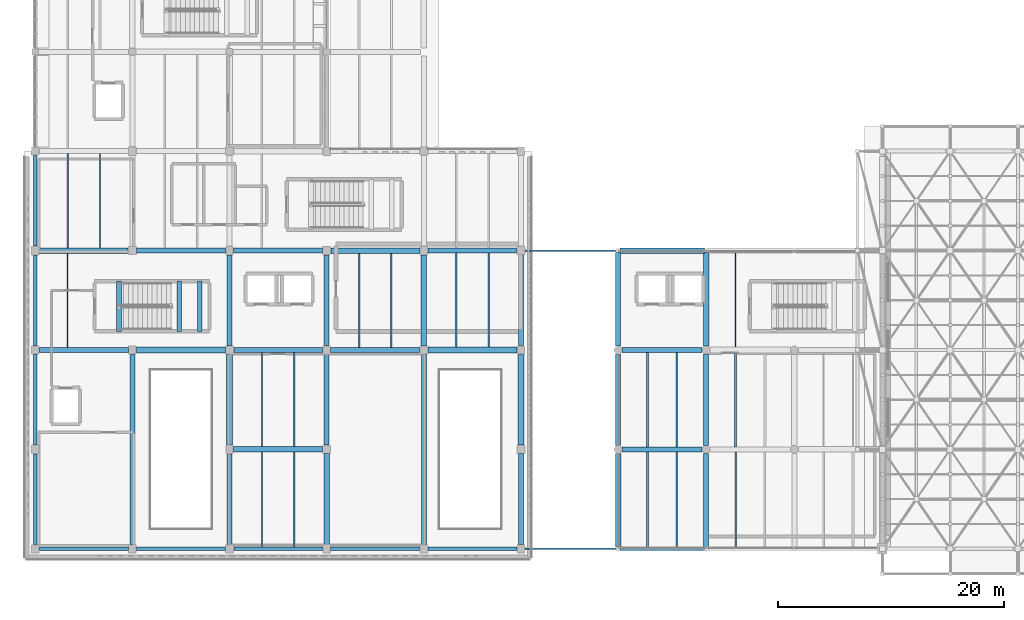
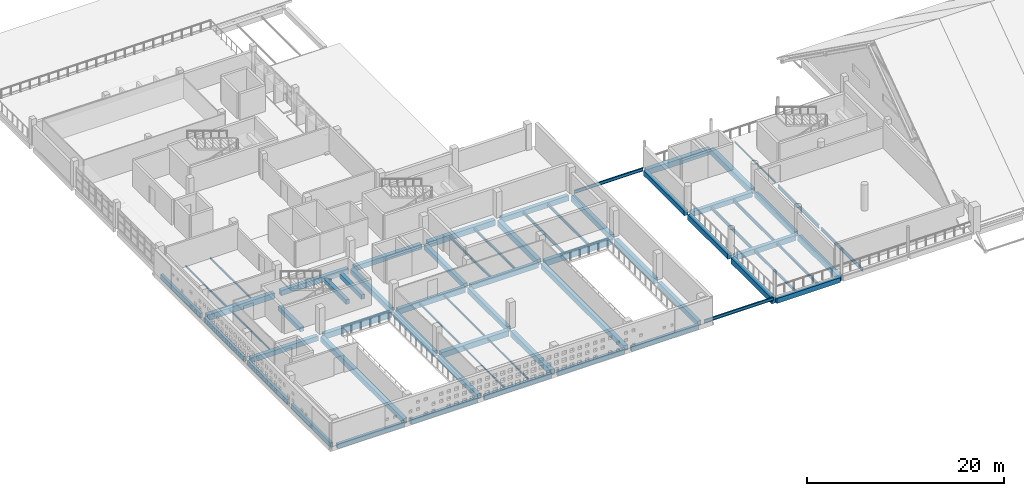
# One storey, part 6 of 55: 65 beams.
"""IFC4 building model written with IfcOpenShell, lengths in metres."""

from ifc_helpers import new_model, si_unit, direction, frame, origin, origin_2d, place, context, subcontext, project, spatial, rectangle, i_section, extrude, material, material_profile, profile_set, type_object, element, save


model = new_model("IFC4")

# Units and contexts
model_context = context("Model", 3, precision=1e-05, world=origin(), true_north=direction((0.0, 1.0)))
body_context = subcontext(model_context, "Body", "Model", "MODEL_VIEW")
ifc_project = project(units=[si_unit("LENGTHUNIT", "METRE"), si_unit("AREAUNIT", "SQUARE_METRE"), si_unit("VOLUMEUNIT", "CUBIC_METRE"), si_unit("PLANEANGLEUNIT", "RADIAN"), si_unit("MASSUNIT", "GRAM", prefix="KILO")], contexts=[model_context])

# Site, building, storey
site_placement = place(None, origin())
site = spatial("IfcSite", under=ifc_project, at=site_placement, CompositionType="ELEMENT")
building_placement = place(site_placement, origin())
building = spatial("IfcBuilding", under=site, at=building_placement, Name="Varnakota Cinema and Media Centre", CompositionType="ELEMENT")
storey_placement = place(building_placement, frame((0.0, 0.0, 15.60009765625)))
storey = spatial("IfcBuildingStorey", under=building, at=storey_placement, Name="L04", CompositionType="ELEMENT", Elevation=15.60009765625)

# Beams
ifc_material_1 = material(Name="Concrete M35", Category="concrete")
ifc_material_profile_1 = material_profile(ifc_material_1, rectangle(XDim=0.39990234375, YDim=0.550048828125, at=origin_2d()), Name="RCB 400x550")
ifc_profile_set_1 = profile_set([ifc_material_profile_1], Name="Concrete M35")
beam_type_1 = type_object("IfcBeamType", Name="BM-RC-400x550", PredefinedType="BEAM", material=ifc_profile_set_1)
for number, where, z_axis, x_axis, name in (
    (1, (12.7373046875, 19.25, 1.25), (0.0, 1.0, 0.0), (-1.0, 0.0, 0.0), "L04 ST-01 landing support beam 1"),
    (2, (14.562744140625, 19.25, 1.25), (0.0, 1.0, 0.0), (-1.0, 0.0, 0.0), "L04 ST-01 landing support beam 2"),
):
    element("IfcBeam", number, at=place(storey_placement, frame(where, z_axis=z_axis, x_axis=x_axis)), inside=storey, type_object=beam_type_1, Name=name, PredefinedType="BEAM", context=body_context, shape_type="SweptSolid", body=[
        extrude(rectangle(XDim=0.39990234375, YDim=0.550048828125, at=origin_2d()), origin(), (0.0, 0.0, 1.0), 4.449951171875),
    ])
ifc_material_2 = material(Name="Concrete M40", Category="concrete")
ifc_material_profile_2 = material_profile(ifc_material_2, rectangle(XDim=0.449951171875, YDim=0.550048828125, at=origin_2d()), Name="RCB 450x550")
ifc_profile_set_2 = profile_set([ifc_material_profile_2], Name="Concrete M40")
beam_type_2 = type_object("IfcBeamType", Name="BM-RC-450x550", PredefinedType="BEAM", material=ifc_profile_set_2)
beam_1_placement = place(storey_placement, frame((7.419921875, 19.25, -0.275146484375), z_axis=(0.0, 1.0, 0.0), x_axis=(-1.0, 0.0, 0.0)))
element("IfcBeam", 3, at=beam_1_placement, inside=storey, type_object=beam_type_2, Name="L04 ST-01 stair arrival trimmer beam", PredefinedType="BEAM", context=body_context, shape_type="SweptSolid", body=[
    extrude(rectangle(XDim=0.449951171875, YDim=0.550048828125, at=origin_2d()), origin(), (0.0, 0.0, 1.0), 4.449951171875),
])
ifc_material_3 = material(Name="Concrete M35", Category="concrete")
ifc_material_profile_3 = material_profile(ifc_material_3, rectangle(XDim=0.449951171875, YDim=0.60009765625, at=origin_2d()), Name="RCB 450x600")
ifc_profile_set_3 = profile_set([ifc_material_profile_3], Name="Concrete M35")
beam_type_3 = type_object("IfcBeamType", Name="BM-RC-450x600", PredefinedType="BEAM", material=ifc_profile_set_3)
for number, where, z_axis, x_axis, name in (
    (4, (0.375, 17.60009765625, -0.550048828125), (1.0, 0.0, 0.0), (0.0, 1.0, 0.0), "L04 girder A-B/3"),
    (5, (26.14990234375, 17.60009765625, -0.550048828125), (1.0, 0.0, 0.0), (0.0, 1.0, 0.0), "L04 girder D-E/3"),
):
    element("IfcBeam", number, at=place(storey_placement, frame(where, z_axis=z_axis, x_axis=x_axis)), inside=storey, type_object=beam_type_3, Name=name, PredefinedType="BEAM", context=body_context, shape_type="SweptSolid", body=[
        extrude(rectangle(XDim=0.449951171875, YDim=0.60009765625, at=origin_2d()), origin(), (0.0, 0.0, 1.0), 7.875),
    ])
beam_2_placement = place(storey_placement, frame((51.949951171875, 17.60009765625, -0.550048828125), z_axis=(1.0, 0.0, 0.0), x_axis=(0.0, 1.0, 0.0)))
element("IfcBeam", 6, at=beam_2_placement, inside=storey, type_object=beam_type_3, Name="L04 girder G-H/3", PredefinedType="BEAM", context=body_context, shape_type="SweptSolid", body=[
    extrude(rectangle(XDim=0.449951171875, YDim=0.60009765625, at=origin_2d()), origin(), (0.0, 0.0, 1.0), 7.10009765625),
])
beam_3_placement = place(storey_placement, frame((17.550048828125, 26.39990234375, -0.550048828125), z_axis=(1.0, 0.0, 0.0), x_axis=(0.0, 1.0, 0.0)))
element("IfcBeam", 7, at=beam_3_placement, inside=storey, type_object=beam_type_3, Name="L04 girder C-D/4", PredefinedType="BEAM", context=body_context, shape_type="SweptSolid", body=[
    extrude(rectangle(XDim=0.449951171875, YDim=0.60009765625, at=origin_2d()), origin(), (0.0, 0.0, 1.0), 7.875),
])
for number, where, z_axis, x_axis, name in (
    (8, (17.199951171875, 0.375, -0.550048828125), (0.0, 1.0, 0.0), (-1.0, 0.0, 0.0), "L04 girder C/1-2"),
    (9, (25.800048828125, 18.0, -0.550048828125), (0.0, 1.0, 0.0), (-1.0, 0.0, 0.0), "L04 girder D/3-4"),
):
    element("IfcBeam", number, at=place(storey_placement, frame(where, z_axis=z_axis, x_axis=x_axis)), inside=storey, type_object=beam_type_3, Name=name, PredefinedType="BEAM", context=body_context, shape_type="SweptSolid", body=[
        extrude(rectangle(XDim=0.449951171875, YDim=0.60009765625, at=origin_2d()), origin(), (0.0, 0.0, 1.0), 8.02490234375),
    ])
beam_4_placement = place(storey_placement, frame((43.0, 0.39990234375, -0.550048828125), z_axis=(0.0, 1.0, 0.0), x_axis=(-1.0, 0.0, 0.0)))
element("IfcBeam", 10, at=beam_4_placement, inside=storey, type_object=beam_type_3, Name="L04 girder F/1-2", PredefinedType="BEAM", context=body_context, shape_type="SweptSolid", body=[
    extrude(rectangle(XDim=0.449951171875, YDim=0.60009765625, at=origin_2d()), origin(), (0.0, 0.0, 1.0), 8.025146484375),
])
beam_5_placement = place(storey_placement, frame((51.60009765625, 17.949951171875, -0.550048828125), z_axis=(0.0, 1.0, 0.0), x_axis=(-1.0, 0.0, 0.0)))
element("IfcBeam", 11, at=beam_5_placement, inside=storey, type_object=beam_type_3, Name="L04 girder G/3-4", PredefinedType="BEAM", context=body_context, shape_type="SweptSolid", body=[
    extrude(rectangle(XDim=0.449951171875, YDim=0.60009765625, at=origin_2d()), origin(), (0.0, 0.0, 1.0), 8.2880859375),
])
beam_6_placement = place(storey_placement, frame((59.39990234375, 9.14990234375, -0.550048828125), z_axis=(0.0, 1.0, 0.0), x_axis=(-1.0, 0.0, 0.0)))
element("IfcBeam", 12, at=beam_6_placement, inside=storey, type_object=beam_type_3, Name="L04 girder H/2-3", PredefinedType="BEAM", context=body_context, shape_type="SweptSolid", body=[
    extrude(rectangle(XDim=0.449951171875, YDim=0.60009765625, at=origin_2d()), origin(), (0.0, 0.0, 1.0), 8.10009765625),
])
ifc_material_4 = material(Name="Concrete M35", Category="concrete")
ifc_material_profile_4 = material_profile(ifc_material_4, rectangle(XDim=0.449951171875, YDim=0.64990234375, at=origin_2d()), Name="RCB 450x650")
ifc_profile_set_4 = profile_set([ifc_material_profile_4], Name="Concrete M35")
beam_type_4 = type_object("IfcBeamType", Name="BM-RC-450x650", PredefinedType="BEAM", material=ifc_profile_set_4)
beam_7_placement = place(storey_placement, frame((51.949951171875, 8.800048828125, -0.5751953125), z_axis=(1.0, 0.0, 0.0), x_axis=(0.0, 1.0, 0.0)))
element("IfcBeam", 13, at=beam_7_placement, inside=storey, type_object=beam_type_4, Name="L04 girder G-H/2", PredefinedType="BEAM", context=body_context, shape_type="SweptSolid", body=[
    extrude(rectangle(XDim=0.449951171875, YDim=0.64990234375, at=origin_2d()), origin(), (0.0, 0.0, 1.0), 7.10009765625),
])
for number, where, z_axis, x_axis, name in (
    (14, (17.574951171875, 17.60009765625, -0.5751953125), (1.0, 0.0, 0.0), (0.0, 1.0, 0.0), "L04 girder C-D/3"),
    (15, (8.97509765625, 26.39990234375, -0.5751953125), (1.0, 0.0, 0.0), (0.0, 1.0, 0.0), "L04 girder B-C/4"),
    (16, (34.75, 26.39990234375, -0.5751953125), (1.0, 0.0, 0.0), (0.0, 1.0, 0.0), "L04 girder E-F/4"),
):
    element("IfcBeam", number, at=place(storey_placement, frame(where, z_axis=z_axis, x_axis=x_axis)), inside=storey, type_object=beam_type_4, Name=name, PredefinedType="BEAM", context=body_context, shape_type="SweptSolid", body=[
        extrude(rectangle(XDim=0.449951171875, YDim=0.64990234375, at=origin_2d()), origin(), (0.0, 0.0, 1.0), 7.875),
    ])
beam_8_placement = place(storey_placement, frame((8.60009765625, 0.39990234375, -0.5751953125), z_axis=(0.0, 1.0, 0.0), x_axis=(-1.0, 0.0, 0.0)))
element("IfcBeam", 17, at=beam_8_placement, inside=storey, type_object=beam_type_4, Name="L04 girder B/1-3", PredefinedType="BEAM", context=body_context, shape_type="SweptSolid", body=[
    extrude(rectangle(XDim=0.449951171875, YDim=0.64990234375, at=origin_2d()), origin(), (0.0, 0.0, 1.0), 16.800048828125),
])
for number, where, z_axis, x_axis, name in (
    (18, (17.199951171875, 17.97509765625, -0.5751953125), (0.0, 1.0, 0.0), (-1.0, 0.0, 0.0), "L04 girder C/3-4"),
    (19, (25.800048828125, 9.175048828125, -0.5751953125), (0.0, 1.0, 0.0), (-1.0, 0.0, 0.0), "L04 girder D/2-3"),
):
    element("IfcBeam", number, at=place(storey_placement, frame(where, z_axis=z_axis, x_axis=x_axis)), inside=storey, type_object=beam_type_4, Name=name, PredefinedType="BEAM", context=body_context, shape_type="SweptSolid", body=[
        extrude(rectangle(XDim=0.449951171875, YDim=0.64990234375, at=origin_2d()), origin(), (0.0, 0.0, 1.0), 8.02490234375),
    ])
beam_9_placement = place(storey_placement, frame((34.39990234375, 0.375, -0.5751953125), z_axis=(0.0, 1.0, 0.0), x_axis=(-1.0, 0.0, 0.0)))
element("IfcBeam", 20, at=beam_9_placement, inside=storey, type_object=beam_type_4, Name="L04 girder E/1-3", PredefinedType="BEAM", context=body_context, shape_type="SweptSolid", body=[
    extrude(rectangle(XDim=0.449951171875, YDim=0.64990234375, at=origin_2d()), origin(), (0.0, 0.0, 1.0), 16.85009765625),
])
beam_10_placement = place(storey_placement, frame((43.0, 18.0, -0.5751953125), z_axis=(0.0, 1.0, 0.0), x_axis=(-1.0, 0.0, 0.0)))
element("IfcBeam", 21, at=beam_10_placement, inside=storey, type_object=beam_type_4, Name="L04 girder F/3-4", PredefinedType="BEAM", context=body_context, shape_type="SweptSolid", body=[
    extrude(rectangle(XDim=0.449951171875, YDim=0.64990234375, at=origin_2d()), origin(), (0.0, 0.0, 1.0), 8.02490234375),
])
beam_11_placement = place(storey_placement, frame((51.60009765625, 9.14990234375, -0.5751953125), z_axis=(0.0, 1.0, 0.0), x_axis=(-1.0, 0.0, 0.0)))
element("IfcBeam", 22, at=beam_11_placement, inside=storey, type_object=beam_type_4, Name="L04 girder G/2-3", PredefinedType="BEAM", context=body_context, shape_type="SweptSolid", body=[
    extrude(rectangle(XDim=0.449951171875, YDim=0.64990234375, at=origin_2d()), origin(), (0.0, 0.0, 1.0), 8.10009765625),
])
beam_12_placement = place(storey_placement, frame((59.39990234375, 0.162109375, -0.5751953125), z_axis=(0.0, 1.0, 0.0), x_axis=(-1.0, 0.0, 0.0)))
element("IfcBeam", 23, at=beam_12_placement, inside=storey, type_object=beam_type_4, Name="L04 girder H/1-2", PredefinedType="BEAM", context=body_context, shape_type="SweptSolid", body=[
    extrude(rectangle(XDim=0.449951171875, YDim=0.64990234375, at=origin_2d()), origin(), (0.0, 0.0, 1.0), 8.287841796875),
])
ifc_material_5 = material(Name="Concrete M35", Category="concrete")
ifc_material_profile_5 = material_profile(ifc_material_5, rectangle(XDim=0.5, YDim=0.699951171875, at=origin_2d()), Name="RCB 500x700")
ifc_profile_set_5 = profile_set([ifc_material_profile_5], Name="Concrete M35")
beam_type_5 = type_object("IfcBeamType", Name="BM-RC-500x700", PredefinedType="BEAM", material=ifc_profile_set_5)
for number, where, z_axis, x_axis, name in (
    (24, (17.550048828125, 8.800048828125, -0.60009765625), (1.0, 0.0, 0.0), (0.0, 1.0, 0.0), "L04 girder C-D/2"),
    (25, (8.949951171875, 17.60009765625, -0.60009765625), (1.0, 0.0, 0.0), (0.0, 1.0, 0.0), "L04 girder B-C/3"),
    (26, (34.77490234375, 17.60009765625, -0.60009765625), (1.0, 0.0, 0.0), (0.0, 1.0, 0.0), "L04 girder E-F/3"),
    (27, (0.35009765625, 26.39990234375, -0.60009765625), (1.0, 0.0, 0.0), (0.0, 1.0, 0.0), "L04 girder A-B/4"),
    (28, (26.175048828125, 26.39990234375, -0.60009765625), (1.0, 0.0, 0.0), (0.0, 1.0, 0.0), "L04 girder D-E/4"),
):
    element("IfcBeam", number, at=place(storey_placement, frame(where, z_axis=z_axis, x_axis=x_axis)), inside=storey, type_object=beam_type_5, Name=name, PredefinedType="BEAM", context=body_context, shape_type="SweptSolid", body=[
        extrude(rectangle(XDim=0.5, YDim=0.699951171875, at=origin_2d()), origin(), (0.0, 0.0, 1.0), 7.875),
    ])
beam_13_placement = place(storey_placement, frame((51.761962890625, 26.39990234375, -0.60009765625), z_axis=(1.0, 0.0, 0.0), x_axis=(0.0, 1.0, 0.0)))
element("IfcBeam", 29, at=beam_13_placement, inside=storey, type_object=beam_type_5, Name="L04 girder G-H/4", PredefinedType="BEAM", context=body_context, shape_type="SweptSolid", body=[
    extrude(rectangle(XDim=0.5, YDim=0.699951171875, at=origin_2d()), origin(), (0.0, 0.0, 1.0), 7.47607421875),
])
for number, where, z_axis, x_axis, name in (
    (30, (17.199951171875, 9.199951171875, -0.60009765625), (0.0, 1.0, 0.0), (-1.0, 0.0, 0.0), "L04 girder C/2-3"),
    (31, (25.800048828125, 0.39990234375, -0.60009765625), (0.0, 1.0, 0.0), (-1.0, 0.0, 0.0), "L04 girder D/1-2"),
):
    element("IfcBeam", number, at=place(storey_placement, frame(where, z_axis=z_axis, x_axis=x_axis)), inside=storey, type_object=beam_type_5, Name=name, PredefinedType="BEAM", context=body_context, shape_type="SweptSolid", body=[
        extrude(rectangle(XDim=0.5, YDim=0.699951171875, at=origin_2d()), origin(), (0.0, 0.0, 1.0), 8.025146484375),
    ])
for number, where, z_axis, x_axis, name in (
    (32, (34.39990234375, 17.97509765625, -0.60009765625), (0.0, 1.0, 0.0), (-1.0, 0.0, 0.0), "L04 girder E/3-4"),
    (33, (43.0, 9.175048828125, -0.60009765625), (0.0, 1.0, 0.0), (-1.0, 0.0, 0.0), "L04 girder F/2-3"),
):
    element("IfcBeam", number, at=place(storey_placement, frame(where, z_axis=z_axis, x_axis=x_axis)), inside=storey, type_object=beam_type_5, Name=name, PredefinedType="BEAM", context=body_context, shape_type="SweptSolid", body=[
        extrude(rectangle(XDim=0.5, YDim=0.699951171875, at=origin_2d()), origin(), (0.0, 0.0, 1.0), 8.02490234375),
    ])
beam_14_placement = place(storey_placement, frame((51.60009765625, 0.162109375, -0.60009765625), z_axis=(0.0, 1.0, 0.0), x_axis=(-1.0, 0.0, 0.0)))
element("IfcBeam", 34, at=beam_14_placement, inside=storey, type_object=beam_type_5, Name="L04 girder G/1-2", PredefinedType="BEAM", context=body_context, shape_type="SweptSolid", body=[
    extrude(rectangle(XDim=0.5, YDim=0.699951171875, at=origin_2d()), origin(), (0.0, 0.0, 1.0), 8.287841796875),
])
beam_15_placement = place(storey_placement, frame((59.39990234375, 17.949951171875, -0.60009765625), z_axis=(0.0, 1.0, 0.0), x_axis=(-1.0, 0.0, 0.0)))
element("IfcBeam", 35, at=beam_15_placement, inside=storey, type_object=beam_type_5, Name="L04 girder H/3-4", PredefinedType="BEAM", context=body_context, shape_type="SweptSolid", body=[
    extrude(rectangle(XDim=0.5, YDim=0.699951171875, at=origin_2d()), origin(), (0.0, 0.0, 1.0), 8.2880859375),
])
ifc_material_6 = material(Name="Concrete M35", Category="concrete")
ifc_material_profile_6 = material_profile(ifc_material_6, rectangle(XDim=0.300048828125, YDim=0.60009765625, at=origin_2d()), Name="RCB 300x600")
ifc_profile_set_6 = profile_set([ifc_material_profile_6], Name="Concrete M35")
beam_type_6 = type_object("IfcBeamType", Name="BM-SP-300x600", PredefinedType="SPANDREL", material=ifc_profile_set_6)
for number, where, z_axis, x_axis, name in (
    (36, (0.375, 0.0, -0.550048828125), (1.0, 0.0, 0.0), (0.0, 1.0, 0.0), "L04 girder A-B/1"),
    (37, (8.949951171875, 0.0, -0.550048828125), (1.0, 0.0, 0.0), (0.0, 1.0, 0.0), "L04 girder B-C/1"),
    (38, (17.574951171875, 0.0, -0.550048828125), (1.0, 0.0, 0.0), (0.0, 1.0, 0.0), "L04 girder C-D/1"),
    (39, (26.14990234375, 0.0, -0.550048828125), (1.0, 0.0, 0.0), (0.0, 1.0, 0.0), "L04 girder D-E/1"),
    (40, (34.77490234375, 0.0, -0.550048828125), (1.0, 0.0, 0.0), (0.0, 1.0, 0.0), "L04 girder E-F/1"),
):
    element("IfcBeam", number, at=place(storey_placement, frame(where, z_axis=z_axis, x_axis=x_axis)), inside=storey, type_object=beam_type_6, Name=name, PredefinedType="SPANDREL", context=body_context, shape_type="SweptSolid", body=[
        extrude(rectangle(XDim=0.300048828125, YDim=0.60009765625, at=origin_2d()), origin(), (0.0, 0.0, 1.0), 7.875),
    ])
beam_16_placement = place(storey_placement, frame((51.761962890625, 0.0, -0.550048828125), z_axis=(1.0, 0.0, 0.0), x_axis=(0.0, 1.0, 0.0)))
element("IfcBeam", 41, at=beam_16_placement, inside=storey, type_object=beam_type_6, Name="L04 girder G-H/1", PredefinedType="SPANDREL", context=body_context, shape_type="SweptSolid", body=[
    extrude(rectangle(XDim=0.300048828125, YDim=0.60009765625, at=origin_2d()), origin(), (0.0, 0.0, 1.0), 7.47607421875),
])
beam_17_placement = place(storey_placement, frame((0.0, 0.375, -0.550048828125), z_axis=(0.0, 1.0, 0.0), x_axis=(-1.0, 0.0, 0.0)))
element("IfcBeam", 42, at=beam_17_placement, inside=storey, type_object=beam_type_6, Name="L04 girder A/1-2", PredefinedType="SPANDREL", context=body_context, shape_type="SweptSolid", body=[
    extrude(rectangle(XDim=0.300048828125, YDim=0.60009765625, at=origin_2d()), origin(), (0.0, 0.0, 1.0), 8.02490234375),
])
beam_18_placement = place(storey_placement, frame((0.0, 9.199951171875, -0.550048828125), z_axis=(0.0, 1.0, 0.0), x_axis=(-1.0, 0.0, 0.0)))
element("IfcBeam", 43, at=beam_18_placement, inside=storey, type_object=beam_type_6, Name="L04 girder A/2-3", PredefinedType="SPANDREL", context=body_context, shape_type="SweptSolid", body=[
    extrude(rectangle(XDim=0.300048828125, YDim=0.60009765625, at=origin_2d()), origin(), (0.0, 0.0, 1.0), 8.025146484375),
])
for number, where, z_axis, x_axis, name in (
    (44, (0.0, 17.97509765625, -0.550048828125), (0.0, 1.0, 0.0), (-1.0, 0.0, 0.0), "L04 girder A/3-4"),
    (45, (0.0, 26.800048828125, -0.550048828125), (0.0, 1.0, 0.0), (-1.0, 0.0, 0.0), "L04 girder A/4-5"),
):
    element("IfcBeam", number, at=place(storey_placement, frame(where, z_axis=z_axis, x_axis=x_axis)), inside=storey, type_object=beam_type_6, Name=name, PredefinedType="SPANDREL", context=body_context, shape_type="SweptSolid", body=[
        extrude(rectangle(XDim=0.300048828125, YDim=0.60009765625, at=origin_2d()), origin(), (0.0, 0.0, 1.0), 8.02490234375),
    ])
ifc_material_7 = material(Name="Structural steel Grade 350 (E350)", Category="steel")
ifc_material_profile_7 = material_profile(ifc_material_7, i_section(OverallWidth=0.10009765625, OverallDepth=0.199951171875, WebThickness=0.005615234375, FlangeThickness=0.0107421875, FilletRadius=0.010986328125, at=origin_2d()), Name="ISMB 200")
ifc_profile_set_7 = profile_set([ifc_material_profile_7], Name="Structural steel Grade 350 (E350)")
beam_type_7 = type_object("IfcBeamType", Name="BM-ST-ISMB200", PredefinedType="JOIST", material=ifc_profile_set_7)
beam_19_placement = place(storey_placement, frame((2.86669921875, 17.824951171875, -0.35009765625), z_axis=(0.0, 1.0, 0.0), x_axis=(-1.0, 0.0, 0.0)))
element("IfcBeam", 46, at=beam_19_placement, inside=storey, type_object=beam_type_7, Name="L04 steel joist A-B/3-4 #1", PredefinedType="JOIST", context=body_context, shape_type="SweptSolid", body=[
    extrude(i_section(OverallWidth=0.10009765625, OverallDepth=0.199951171875, WebThickness=0.005615234375, FlangeThickness=0.0107421875, FilletRadius=0.010986328125, at=origin_2d()), origin(), (0.0, 0.0, 1.0), 8.324951171875),
])
for number, where, z_axis, x_axis, name in (
    (47, (20.066650390625, 0.14990234375, -0.35009765625), (0.0, 1.0, 0.0), (-1.0, 0.0, 0.0), "L04 steel joist C-D/1-2 #1"),
    (48, (22.933349609375, 0.14990234375, -0.35009765625), (0.0, 1.0, 0.0), (-1.0, 0.0, 0.0), "L04 steel joist C-D/1-2 #2"),
):
    element("IfcBeam", number, at=place(storey_placement, frame(where, z_axis=z_axis, x_axis=x_axis)), inside=storey, type_object=beam_type_7, Name=name, PredefinedType="JOIST", context=body_context, shape_type="SweptSolid", body=[
        extrude(i_section(OverallWidth=0.10009765625, OverallDepth=0.199951171875, WebThickness=0.005615234375, FlangeThickness=0.0107421875, FilletRadius=0.010986328125, at=origin_2d()), origin(), (0.0, 0.0, 1.0), 8.400146484375),
    ])
beam_20_placement = place(storey_placement, frame((62.0, 17.85009765625, -0.35009765625), z_axis=(0.0, 1.0, 0.0), x_axis=(-1.0, 0.0, 0.0)))
element("IfcBeam", 49, at=beam_20_placement, inside=storey, type_object=beam_type_7, Name="L04 steel joist H-J/3-4 #1", PredefinedType="JOIST", context=body_context, shape_type="SweptSolid", body=[
    extrude(i_section(OverallWidth=0.10009765625, OverallDepth=0.199951171875, WebThickness=0.005615234375, FlangeThickness=0.0107421875, FilletRadius=0.010986328125, at=origin_2d()), origin(), (0.0, 0.0, 1.0), 8.324951171875),
])
ifc_material_8 = material(Name="Structural steel Grade 350 (E350)", Category="steel")
ifc_material_profile_8 = material_profile(ifc_material_8, i_section(OverallWidth=0.110107421875, OverallDepth=0.22509765625, WebThickness=0.006591796875, FlangeThickness=0.01171875, FilletRadius=0.011962890625, at=origin_2d()), Name="ISMB 225")
ifc_profile_set_8 = profile_set([ifc_material_profile_8], Name="Structural steel Grade 350 (E350)")
beam_type_8 = type_object("IfcBeamType", Name="BM-ST-ISMB225", PredefinedType="JOIST", material=ifc_profile_set_8)
for number, where, z_axis, x_axis, name in (
    (50, (2.86669921875, 26.64990234375, -0.362548828125), (0.0, 1.0, 0.0), (-1.0, 0.0, 0.0), "L04 steel joist A-B/4-5 #1"),
    (51, (5.7333984375, 26.64990234375, -0.362548828125), (0.0, 1.0, 0.0), (-1.0, 0.0, 0.0), "L04 steel joist A-B/4-5 #2"),
):
    element("IfcBeam", number, at=place(storey_placement, frame(where, z_axis=z_axis, x_axis=x_axis)), inside=storey, type_object=beam_type_8, Name=name, PredefinedType="JOIST", context=body_context, shape_type="SweptSolid", body=[
        extrude(i_section(OverallWidth=0.110107421875, OverallDepth=0.22509765625, WebThickness=0.006591796875, FlangeThickness=0.01171875, FilletRadius=0.011962890625, at=origin_2d()), origin(), (0.0, 0.0, 1.0), 8.3251953125),
    ])
for number, where, z_axis, x_axis, name in (
    (52, (20.066650390625, 9.050048828125, -0.362548828125), (0.0, 1.0, 0.0), (-1.0, 0.0, 0.0), "L04 steel joist C-D/2-3 #1"),
    (53, (22.933349609375, 9.050048828125, -0.362548828125), (0.0, 1.0, 0.0), (-1.0, 0.0, 0.0), "L04 steel joist C-D/2-3 #2"),
):
    element("IfcBeam", number, at=place(storey_placement, frame(where, z_axis=z_axis, x_axis=x_axis)), inside=storey, type_object=beam_type_8, Name=name, PredefinedType="JOIST", context=body_context, shape_type="SweptSolid", body=[
        extrude(i_section(OverallWidth=0.110107421875, OverallDepth=0.22509765625, WebThickness=0.006591796875, FlangeThickness=0.01171875, FilletRadius=0.011962890625, at=origin_2d()), origin(), (0.0, 0.0, 1.0), 8.324951171875),
    ])
ifc_material_9 = material(Name="Structural steel Grade 350 (E350)", Category="steel")
ifc_material_profile_9 = material_profile(ifc_material_9, i_section(OverallWidth=0.139892578125, OverallDepth=0.300048828125, WebThickness=0.0078125, FlangeThickness=0.01318359375, FilletRadius=0.013916015625, at=origin_2d()), Name="ISMB 300")
ifc_profile_set_9 = profile_set([ifc_material_profile_9], Name="Structural steel Grade 350 (E350)")
beam_type_9 = type_object("IfcBeamType", Name="BM-ST-ISMB300", PredefinedType="JOIST", material=ifc_profile_set_9)
for number, where, z_axis, x_axis, name in (
    (54, (28.666748046875, 17.824951171875, -0.400146484375), (0.0, 1.0, 0.0), (-1.0, 0.0, 0.0), "L04 steel joist D-E/3-4 #1"),
    (55, (31.533203125, 17.824951171875, -0.400146484375), (0.0, 1.0, 0.0), (-1.0, 0.0, 0.0), "L04 steel joist D-E/3-4 #2"),
):
    element("IfcBeam", number, at=place(storey_placement, frame(where, z_axis=z_axis, x_axis=x_axis)), inside=storey, type_object=beam_type_9, Name=name, PredefinedType="JOIST", context=body_context, shape_type="SweptSolid", body=[
        extrude(i_section(OverallWidth=0.139892578125, OverallDepth=0.300048828125, WebThickness=0.0078125, FlangeThickness=0.01318359375, FilletRadius=0.013916015625, at=origin_2d()), origin(), (0.0, 0.0, 1.0), 8.324951171875),
    ])
ifc_material_10 = material(Name="Structural steel Grade 350 (E350)", Category="steel")
ifc_material_profile_10 = material_profile(ifc_material_10, i_section(OverallWidth=0.139892578125, OverallDepth=0.35009765625, WebThickness=0.008056640625, FlangeThickness=0.01416015625, FilletRadius=0.013916015625, at=origin_2d()), Name="ISMB 350")
ifc_profile_set_10 = profile_set([ifc_material_profile_10], Name="Structural steel Grade 350 (E350)")
beam_type_10 = type_object("IfcBeamType", Name="BM-ST-ISMB350", PredefinedType="JOIST", material=ifc_profile_set_10)
for number, where, z_axis, x_axis, name in (
    (56, (37.2666015625, 17.85009765625, -0.425048828125), (0.0, 1.0, 0.0), (-1.0, 0.0, 0.0), "L04 steel joist E-F/3-4 #1"),
    (57, (40.13330078125, 17.85009765625, -0.425048828125), (0.0, 1.0, 0.0), (-1.0, 0.0, 0.0), "L04 steel joist E-F/3-4 #2"),
):
    element("IfcBeam", number, at=place(storey_placement, frame(where, z_axis=z_axis, x_axis=x_axis)), inside=storey, type_object=beam_type_10, Name=name, PredefinedType="JOIST", context=body_context, shape_type="SweptSolid", body=[
        extrude(i_section(OverallWidth=0.139892578125, OverallDepth=0.35009765625, WebThickness=0.008056640625, FlangeThickness=0.01416015625, FilletRadius=0.013916015625, at=origin_2d()), origin(), (0.0, 0.0, 1.0), 8.324951171875),
    ])
for number, where, z_axis, x_axis, name in (
    (58, (54.199951171875, 0.14990234375, -0.425048828125), (0.0, 1.0, 0.0), (-1.0, 0.0, 0.0), "L04 steel joist G-H/1-2 #1"),
    (59, (56.800048828125, 0.14990234375, -0.425048828125), (0.0, 1.0, 0.0), (-1.0, 0.0, 0.0), "L04 steel joist G-H/1-2 #2"),
):
    element("IfcBeam", number, at=place(storey_placement, frame(where, z_axis=z_axis, x_axis=x_axis)), inside=storey, type_object=beam_type_10, Name=name, PredefinedType="JOIST", context=body_context, shape_type="SweptSolid", body=[
        extrude(i_section(OverallWidth=0.139892578125, OverallDepth=0.35009765625, WebThickness=0.008056640625, FlangeThickness=0.01416015625, FilletRadius=0.013916015625, at=origin_2d()), origin(), (0.0, 0.0, 1.0), 8.425048828125),
    ])
ifc_material_11 = material(Name="Structural steel Grade 350 (E350)", Category="steel")
ifc_material_profile_11 = material_profile(ifc_material_11, i_section(OverallWidth=0.139892578125, OverallDepth=0.39990234375, WebThickness=0.0087890625, FlangeThickness=0.01611328125, FilletRadius=0.013916015625, at=origin_2d()), Name="ISMB 400")
ifc_profile_set_11 = profile_set([ifc_material_profile_11], Name="Structural steel Grade 350 (E350)")
beam_type_11 = type_object("IfcBeamType", Name="BM-ST-ISMB400", PredefinedType="JOIST", material=ifc_profile_set_11)
beam_21_placement = place(storey_placement, frame((43.35009765625, 0.0, -0.2001953125), z_axis=(1.0, 0.0, 0.0), x_axis=(0.0, 1.0, 0.0)))
element("IfcBeam", 60, at=beam_21_placement, inside=storey, type_object=beam_type_11, Name="L04 girder F-G/1", PredefinedType="JOIST", context=body_context, shape_type="SweptSolid", body=[
    extrude(i_section(OverallWidth=0.139892578125, OverallDepth=0.39990234375, WebThickness=0.0087890625, FlangeThickness=0.01611328125, FilletRadius=0.013916015625, at=origin_2d()), origin(), (0.0, 0.0, 1.0), 8.087890625),
])
beam_22_placement = place(storey_placement, frame((43.375, 26.39990234375, -0.2001953125), z_axis=(1.0, 0.0, 0.0), x_axis=(0.0, 1.0, 0.0)))
element("IfcBeam", 61, at=beam_22_placement, inside=storey, type_object=beam_type_11, Name="L04 girder F-G/4", PredefinedType="JOIST", context=body_context, shape_type="SweptSolid", body=[
    extrude(i_section(OverallWidth=0.139892578125, OverallDepth=0.39990234375, WebThickness=0.0087890625, FlangeThickness=0.01611328125, FilletRadius=0.013916015625, at=origin_2d()), origin(), (0.0, 0.0, 1.0), 8.06298828125),
])
for number, where, z_axis, x_axis, name in (
    (62, (54.199951171875, 9.02490234375, -0.4501953125), (0.0, 1.0, 0.0), (-1.0, 0.0, 0.0), "L04 steel joist G-H/2-3 #1"),
    (63, (56.800048828125, 9.02490234375, -0.4501953125), (0.0, 1.0, 0.0), (-1.0, 0.0, 0.0), "L04 steel joist G-H/2-3 #2"),
):
    element("IfcBeam", number, at=place(storey_placement, frame(where, z_axis=z_axis, x_axis=x_axis)), inside=storey, type_object=beam_type_11, Name=name, PredefinedType="JOIST", context=body_context, shape_type="SweptSolid", body=[
        extrude(i_section(OverallWidth=0.139892578125, OverallDepth=0.39990234375, WebThickness=0.0087890625, FlangeThickness=0.01611328125, FilletRadius=0.013916015625, at=origin_2d()), origin(), (0.0, 0.0, 1.0), 8.35009765625),
    ])
beam_23_placement = place(storey_placement, frame((62.0, 0.14990234375, -0.4501953125), z_axis=(0.0, 1.0, 0.0), x_axis=(-1.0, 0.0, 0.0)))
element("IfcBeam", 64, at=beam_23_placement, inside=storey, type_object=beam_type_11, Name="L04 steel joist H-J/1-2 #1", PredefinedType="JOIST", context=body_context, shape_type="SweptSolid", body=[
    extrude(i_section(OverallWidth=0.139892578125, OverallDepth=0.39990234375, WebThickness=0.0087890625, FlangeThickness=0.01611328125, FilletRadius=0.013916015625, at=origin_2d()), origin(), (0.0, 0.0, 1.0), 8.425048828125),
])
ifc_material_12 = material(Name="Structural steel Grade 350 (E350)", Category="steel")
ifc_material_profile_12 = material_profile(ifc_material_12, i_section(OverallWidth=0.14990234375, OverallDepth=0.449951171875, WebThickness=0.009521484375, FlangeThickness=0.017333984375, FilletRadius=0.014892578125, at=origin_2d()), Name="ISMB 450")
ifc_profile_set_12 = profile_set([ifc_material_profile_12], Name="Structural steel Grade 350 (E350)")
beam_type_12 = type_object("IfcBeamType", Name="BM-ST-ISMB450", PredefinedType="BEAM", material=ifc_profile_set_12)
beam_24_placement = place(storey_placement, frame((62.0, 9.02490234375, -0.47509765625), z_axis=(0.0, 1.0, 0.0), x_axis=(-1.0, 0.0, 0.0)))
element("IfcBeam", 65, at=beam_24_placement, inside=storey, type_object=beam_type_12, Name="L04 steel joist H-J/2-3 #1", PredefinedType="BEAM", context=body_context, shape_type="SweptSolid", body=[
    extrude(i_section(OverallWidth=0.14990234375, OverallDepth=0.449951171875, WebThickness=0.009521484375, FlangeThickness=0.017333984375, FilletRadius=0.014892578125, at=origin_2d()), origin(), (0.0, 0.0, 1.0), 8.3251953125),
])

save(model, "model.ifc")
